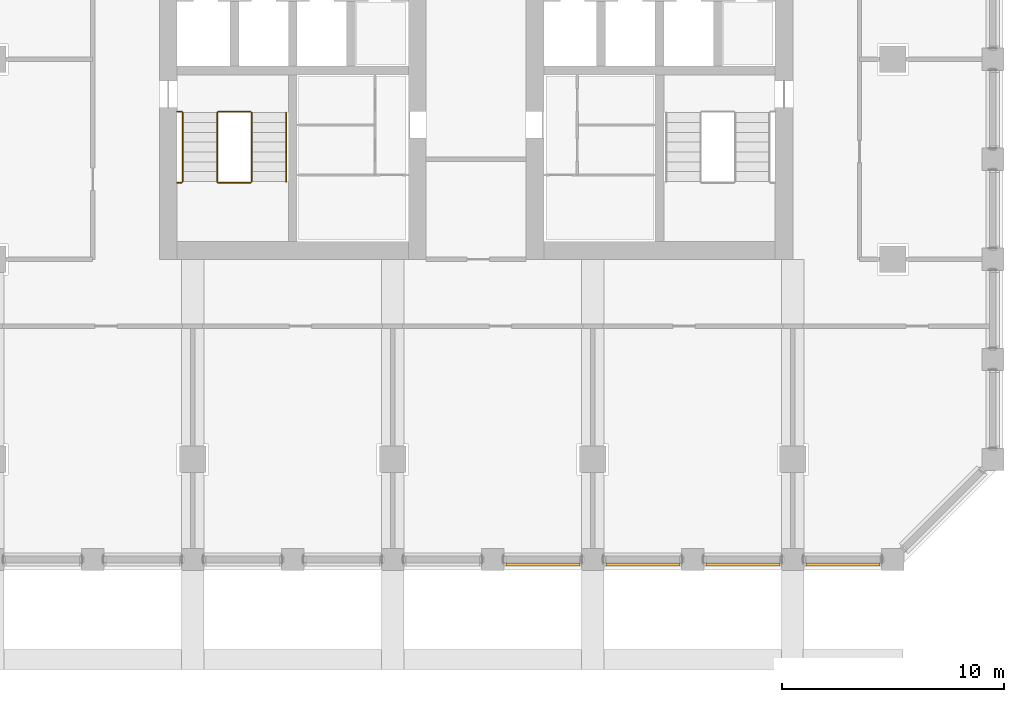
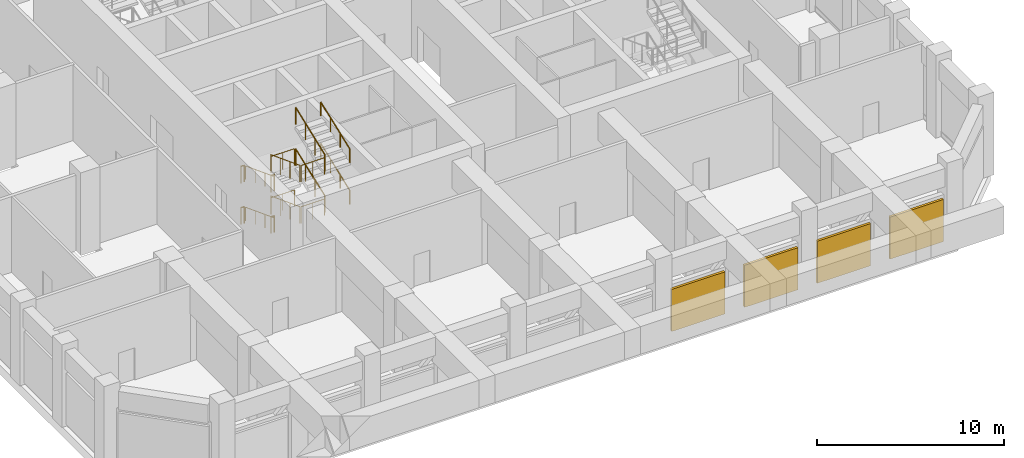
# One storey, part 14 of 20: 16 railings, 4 shading devices.
"""IFC4 building model written with IfcOpenShell, lengths in metres."""

from ifc_helpers import new_model, si_unit, direction, frame, origin, origin_2d, place, context, subcontext, project, spatial, rectangle, circle, extrude, material, layer, layer_set, type_object, element, save


model = new_model("IFC4")

# Units and contexts
model_context = context("Model", 3, precision=1e-05, world=origin(), true_north=direction((0.0, 1.0)))
body_context = subcontext(model_context, "Body", "Model", "MODEL_VIEW")
ifc_project = project(units=[si_unit("LENGTHUNIT", "METRE"), si_unit("AREAUNIT", "SQUARE_METRE"), si_unit("VOLUMEUNIT", "CUBIC_METRE"), si_unit("PLANEANGLEUNIT", "RADIAN"), si_unit("MASSUNIT", "GRAM", prefix="KILO")], contexts=[model_context])

# Site, building, storey
site_placement = place(None, origin())
site = spatial("IfcSite", under=ifc_project, at=site_placement, CompositionType="ELEMENT")
building_placement = place(site_placement, origin())
building = spatial("IfcBuilding", under=site, at=building_placement, Name="Corbel Stack Research Tower", CompositionType="ELEMENT")
storey_placement = place(building_placement, frame((0.0, 0.0, 151.39990234375)))
storey = spatial("IfcBuildingStorey", under=building, at=storey_placement, Name="L34", CompositionType="ELEMENT", Elevation=151.39990234375)

# Shading devices
ifc_material_1 = material(Name="Aluminium louvre", Category="aluminium")
ifc_layer = layer(ifc_material_1, 0.14990234375)
ifc_layer_set = layer_set([ifc_layer], Name="Aluminium louvre")
shading_device_type = type_object("IfcShadingDeviceType", Name="Plant louvre 150", PredefinedType="USERDEFINED", material=ifc_layer_set)
for number, where, z_axis, x_axis, name in (
    (1, (6.75, -22.72509765625, 0.2001953125), (0.0, 0.0, 1.0), (1.0, 0.0, 0.0), "Plant louvre L34 S07"),
    (2, (11.25, -22.72509765625, 0.2001953125), (0.0, 0.0, 1.0), (1.0, 0.0, 0.0), "Plant louvre L34 S08"),
    (3, (15.75, -22.72509765625, 0.2001953125), (0.0, 0.0, 1.0), (1.0, 0.0, 0.0), "Plant louvre L34 S09"),
    (4, (20.25, -22.72509765625, 0.2001953125), (0.0, 0.0, 1.0), (1.0, 0.0, 0.0), "Plant louvre L34 S10"),
):
    element("IfcShadingDevice", number, at=place(storey_placement, frame(where, z_axis=z_axis, x_axis=x_axis)), inside=storey, type_object=shading_device_type, Name=name, ObjectType="LOUVRE", PredefinedType="USERDEFINED", context=body_context, shape_type="SweptSolid", body=[
        extrude(rectangle(XDim=3.300048828125, YDim=0.14990234375, at=origin_2d()), origin(), (0.0, 0.0, 1.0), 2.75),
    ])

# Railings
ifc_material_2 = material(Name="Steel S355", Category="steel")
railing_type_1 = type_object("IfcRailingType", Name="Stair guard 1100", PredefinedType="GUARDRAIL", material=ifc_material_2)
railing_1_placement = place(storey_placement, frame((-7.89990234375, -2.39990234375, 0.1689453125)))
element("IfcRailing", 5, at=railing_1_placement, inside=storey, type_object=railing_type_1, Name="L34 ST-W1 stair guard 1", PredefinedType="GUARDRAIL", context=body_context, shape_type="SweptSolid", body=[
    extrude(circle(Radius=0.02392578125, at=origin_2d()), frame((0.0, 0.0, 1.076171875), z_axis=(0.0, -0.934508712189, 0.355940257406), x_axis=(1.0, 0.0, 0.0)), (0.0, 0.0, 1.0), 3.318359375),
    extrude(circle(Radius=0.02099609375, at=origin_2d()), origin(), (0.0, 0.0, 1.0), 1.052001953125),
    extrude(circle(Radius=0.02099609375, at=origin_2d()), frame((0.0, -1.03369140625, 0.393798828125)), (0.0, 0.0, 1.0), 1.052001953125),
    extrude(circle(Radius=0.02099609375, at=origin_2d()), frame((0.0, -2.0673828125, 0.787353515625)), (0.0, 0.0, 1.0), 1.052001953125),
    extrude(circle(Radius=0.02099609375, at=origin_2d()), frame((0.0, -3.10107421875, 1.18115234375)), (0.0, 0.0, 1.0), 1.052001953125),
])
railing_2_placement = place(storey_placement, frame((-7.85009765625, -5.551025390625, 1.35009765625)))
element("IfcRailing", 6, at=railing_2_placement, inside=storey, type_object=railing_type_1, Name="L34 ST-W1 stair guard 2", PredefinedType="GUARDRAIL", context=body_context, shape_type="SweptSolid", body=[
    extrude(circle(Radius=0.02392578125, at=origin_2d()), frame((0.0, 0.0, 1.076171875), z_axis=(1.0, 0.0, 0.0), x_axis=(0.0, 1.0, 0.0)), (0.0, 0.0, 1.0), 1.4501953125),
    extrude(circle(Radius=0.02099609375, at=origin_2d()), origin(), (0.0, 0.0, 1.0), 1.052001953125),
    extrude(circle(Radius=0.02099609375, at=origin_2d()), frame((0.72509765625, 0.0, 0.0)), (0.0, 0.0, 1.0), 1.052001953125),
    extrude(circle(Radius=0.02099609375, at=origin_2d()), frame((1.4501953125, 0.0, 0.0)), (0.0, 0.0, 1.0), 1.052001953125),
])
railing_3_placement = place(storey_placement, frame((-9.699951171875, -5.551025390625, 1.35009765625)))
element("IfcRailing", 7, at=railing_3_placement, inside=storey, type_object=railing_type_1, Name="L34 ST-W1 stair guard 3", PredefinedType="GUARDRAIL", context=body_context, shape_type="SweptSolid", body=[
    extrude(circle(Radius=0.02392578125, at=origin_2d()), frame((0.0, 0.0, 1.076171875), z_axis=(1.0, 0.0, 0.0), x_axis=(0.0, 1.0, 0.0)), (0.0, 0.0, 1.0), 0.199951171875),
    extrude(circle(Radius=0.02099609375, at=origin_2d()), origin(), (0.0, 0.0, 1.0), 1.052001953125),
    extrude(circle(Radius=0.02099609375, at=origin_2d()), frame((0.199951171875, 0.0, 0.0)), (0.0, 0.0, 1.0), 1.052001953125),
])
railing_4_placement = place(storey_placement, frame((-6.35009765625, -5.5009765625, 1.518798828125)))
element("IfcRailing", 8, at=railing_4_placement, inside=storey, type_object=railing_type_1, Name="L34 ST-W1 stair guard 4", PredefinedType="GUARDRAIL", context=body_context, shape_type="SweptSolid", body=[
    extrude(circle(Radius=0.02392578125, at=origin_2d()), frame((0.0, 0.0, 1.076171875), z_axis=(0.0, 0.934484238495, 0.356004505596), x_axis=(-1.0, 0.0, 0.0)), (0.0, 0.0, 1.0), 3.318603515625),
    extrude(circle(Radius=0.02099609375, at=origin_2d()), origin(), (0.0, 0.0, 1.0), 1.052001953125),
    extrude(circle(Radius=0.02099609375, at=origin_2d()), frame((0.0, 1.03369140625, 0.393798828125)), (0.0, 0.0, 1.0), 1.052001953125),
    extrude(circle(Radius=0.02099609375, at=origin_2d()), frame((0.0, 2.0673828125, 0.78759765625)), (0.0, 0.0, 1.0), 1.052001953125),
    extrude(circle(Radius=0.02099609375, at=origin_2d()), frame((0.0, 3.10107421875, 1.181396484375)), (0.0, 0.0, 1.0), 1.052001953125),
])
railing_5_placement = place(storey_placement, frame((-7.85009765625, -2.35009765625, 2.7001953125)))
element("IfcRailing", 9, at=railing_5_placement, inside=storey, type_object=railing_type_1, Name="L34 ST-W1 stair guard 5", PredefinedType="GUARDRAIL", context=body_context, shape_type="SweptSolid", body=[
    extrude(circle(Radius=0.02392578125, at=origin_2d()), frame((0.0, 0.0, 1.076171875), z_axis=(1.0, 0.0, 0.0), x_axis=(0.0, 1.0, 0.0)), (0.0, 0.0, 1.0), 1.4501953125),
    extrude(circle(Radius=0.02099609375, at=origin_2d()), origin(), (0.0, 0.0, 1.0), 1.052001953125),
    extrude(circle(Radius=0.02099609375, at=origin_2d()), frame((0.72509765625, 0.0, 0.0)), (0.0, 0.0, 1.0), 1.052001953125),
    extrude(circle(Radius=0.02099609375, at=origin_2d()), frame((1.4501953125, 0.0, 0.0)), (0.0, 0.0, 1.0), 1.052001953125),
])
railing_6_placement = place(storey_placement, frame((-9.699951171875, -2.35009765625, 2.7001953125)))
element("IfcRailing", 10, at=railing_6_placement, inside=storey, type_object=railing_type_1, Name="L34 ST-W1 stair guard 6", PredefinedType="GUARDRAIL", context=body_context, shape_type="SweptSolid", body=[
    extrude(circle(Radius=0.02392578125, at=origin_2d()), frame((0.0, 0.0, 1.076171875), z_axis=(1.0, 0.0, 0.0), x_axis=(0.0, 1.0, 0.0)), (0.0, 0.0, 1.0), 0.199951171875),
    extrude(circle(Radius=0.02099609375, at=origin_2d()), origin(), (0.0, 0.0, 1.0), 1.052001953125),
    extrude(circle(Radius=0.02099609375, at=origin_2d()), frame((0.199951171875, 0.0, 0.0)), (0.0, 0.0, 1.0), 1.052001953125),
])
railing_7_placement = place(storey_placement, frame((-7.89990234375, -2.39990234375, 2.868896484375)))
element("IfcRailing", 11, at=railing_7_placement, inside=storey, type_object=railing_type_1, Name="L34 ST-W1 stair guard 7", PredefinedType="GUARDRAIL", context=body_context, shape_type="SweptSolid", body=[
    extrude(circle(Radius=0.02392578125, at=origin_2d()), frame((0.0, 0.0, 1.076171875), z_axis=(0.0, -0.934508712189, 0.355940257406), x_axis=(1.0, 0.0, 0.0)), (0.0, 0.0, 1.0), 3.318359375),
    extrude(circle(Radius=0.02099609375, at=origin_2d()), origin(), (0.0, 0.0, 1.0), 1.052001953125),
    extrude(circle(Radius=0.02099609375, at=origin_2d()), frame((0.0, -1.03369140625, 0.393798828125)), (0.0, 0.0, 1.0), 1.052001953125),
    extrude(circle(Radius=0.02099609375, at=origin_2d()), frame((0.0, -2.0673828125, 0.787353515625)), (0.0, 0.0, 1.0), 1.052001953125),
    extrude(circle(Radius=0.02099609375, at=origin_2d()), frame((0.0, -3.10107421875, 1.18115234375)), (0.0, 0.0, 1.0), 1.052001953125),
])
railing_8_placement = place(storey_placement, frame((-7.85009765625, -5.551025390625, 4.050048828125)))
element("IfcRailing", 12, at=railing_8_placement, inside=storey, type_object=railing_type_1, Name="L34 ST-W1 stair guard 8", PredefinedType="GUARDRAIL", context=body_context, shape_type="SweptSolid", body=[
    extrude(circle(Radius=0.02392578125, at=origin_2d()), frame((0.0, 0.0, 1.076171875), z_axis=(1.0, 0.0, 0.0), x_axis=(0.0, 1.0, 0.0)), (0.0, 0.0, 1.0), 1.4501953125),
    extrude(circle(Radius=0.02099609375, at=origin_2d()), origin(), (0.0, 0.0, 1.0), 1.052001953125),
    extrude(circle(Radius=0.02099609375, at=origin_2d()), frame((0.72509765625, 0.0, 0.0)), (0.0, 0.0, 1.0), 1.052001953125),
    extrude(circle(Radius=0.02099609375, at=origin_2d()), frame((1.4501953125, 0.0, 0.0)), (0.0, 0.0, 1.0), 1.052001953125),
])
railing_9_placement = place(storey_placement, frame((-9.699951171875, -5.551025390625, 4.050048828125)))
element("IfcRailing", 13, at=railing_9_placement, inside=storey, type_object=railing_type_1, Name="L34 ST-W1 stair guard 9", PredefinedType="GUARDRAIL", context=body_context, shape_type="SweptSolid", body=[
    extrude(circle(Radius=0.02392578125, at=origin_2d()), frame((0.0, 0.0, 1.076171875), z_axis=(1.0, 0.0, 0.0), x_axis=(0.0, 1.0, 0.0)), (0.0, 0.0, 1.0), 0.199951171875),
    extrude(circle(Radius=0.02099609375, at=origin_2d()), origin(), (0.0, 0.0, 1.0), 1.052001953125),
    extrude(circle(Radius=0.02099609375, at=origin_2d()), frame((0.199951171875, 0.0, 0.0)), (0.0, 0.0, 1.0), 1.052001953125),
])
railing_10_placement = place(storey_placement, frame((-6.35009765625, -5.5009765625, 4.21875)))
element("IfcRailing", 14, at=railing_10_placement, inside=storey, type_object=railing_type_1, Name="L34 ST-W1 stair guard 10", PredefinedType="GUARDRAIL", context=body_context, shape_type="SweptSolid", body=[
    extrude(circle(Radius=0.02392578125, at=origin_2d()), frame((0.0, 0.0, 1.076171875), z_axis=(0.0, 0.934484238495, 0.356004505596), x_axis=(-1.0, 0.0, 0.0)), (0.0, 0.0, 1.0), 3.318603515625),
    extrude(circle(Radius=0.02099609375, at=origin_2d()), origin(), (0.0, 0.0, 1.0), 1.052001953125),
    extrude(circle(Radius=0.02099609375, at=origin_2d()), frame((0.0, 1.03369140625, 0.393798828125)), (0.0, 0.0, 1.0), 1.052001953125),
    extrude(circle(Radius=0.02099609375, at=origin_2d()), frame((0.0, 2.0673828125, 0.78759765625)), (0.0, 0.0, 1.0), 1.052001953125),
    extrude(circle(Radius=0.02099609375, at=origin_2d()), frame((0.0, 3.10107421875, 1.181396484375)), (0.0, 0.0, 1.0), 1.052001953125),
])
railing_11_placement = place(storey_placement, frame((-7.85009765625, -2.35009765625, 0.0)))
element("IfcRailing", 15, at=railing_11_placement, inside=storey, type_object=railing_type_1, Name="L34 ST-W1 stair guard 11", PredefinedType="GUARDRAIL", context=body_context, shape_type="SweptSolid", body=[
    extrude(circle(Radius=0.02392578125, at=origin_2d()), frame((0.0, 0.0, 1.076171875), z_axis=(1.0, 0.0, 0.0), x_axis=(0.0, 1.0, 0.0)), (0.0, 0.0, 1.0), 1.4501953125),
    extrude(circle(Radius=0.02099609375, at=origin_2d()), origin(), (0.0, 0.0, 1.0), 1.052001953125),
    extrude(circle(Radius=0.02099609375, at=origin_2d()), frame((0.72509765625, 0.0, 0.0)), (0.0, 0.0, 1.0), 1.052001953125),
    extrude(circle(Radius=0.02099609375, at=origin_2d()), frame((1.4501953125, 0.0, 0.0)), (0.0, 0.0, 1.0), 1.052001953125),
])
railing_12_placement = place(storey_placement, frame((-9.699951171875, -2.35009765625, 0.0)))
element("IfcRailing", 16, at=railing_12_placement, inside=storey, type_object=railing_type_1, Name="L34 ST-W1 stair guard 12", PredefinedType="GUARDRAIL", context=body_context, shape_type="SweptSolid", body=[
    extrude(circle(Radius=0.02392578125, at=origin_2d()), frame((0.0, 0.0, 1.076171875), z_axis=(1.0, 0.0, 0.0), x_axis=(0.0, 1.0, 0.0)), (0.0, 0.0, 1.0), 0.199951171875),
    extrude(circle(Radius=0.02099609375, at=origin_2d()), origin(), (0.0, 0.0, 1.0), 1.052001953125),
    extrude(circle(Radius=0.02099609375, at=origin_2d()), frame((0.199951171875, 0.0, 0.0)), (0.0, 0.0, 1.0), 1.052001953125),
])
ifc_material_3 = material(Name="Steel S355", Category="steel")
railing_type_2 = type_object("IfcRailingType", Name="Stair handrail 900", PredefinedType="HANDRAIL", material=ifc_material_3)
railing_13_placement = place(storey_placement, frame((-9.449951171875, -2.39990234375, 0.1689453125)))
element("IfcRailing", 17, at=railing_13_placement, inside=storey, type_object=railing_type_2, Name="L34 ST-W1 stair handrail 1", PredefinedType="HANDRAIL", context=body_context, shape_type="SweptSolid", body=[
    extrude(circle(Radius=0.02392578125, at=origin_2d()), frame((0.0, 0.0, 0.8759765625), z_axis=(0.0, -0.934508712189, 0.355940257406), x_axis=(1.0, 0.0, 0.0)), (0.0, 0.0, 1.0), 3.318359375),
    extrude(circle(Radius=0.02099609375, at=origin_2d()), origin(), (0.0, 0.0, 1.0), 0.851806640625),
    extrude(circle(Radius=0.02099609375, at=origin_2d()), frame((0.0, -1.03369140625, 0.393798828125)), (0.0, 0.0, 1.0), 0.851806640625),
    extrude(circle(Radius=0.02099609375, at=origin_2d()), frame((0.0, -2.0673828125, 0.787353515625)), (0.0, 0.0, 1.0), 0.851806640625),
    extrude(circle(Radius=0.02099609375, at=origin_2d()), frame((0.0, -3.10107421875, 1.18115234375)), (0.0, 0.0, 1.0), 0.851806640625),
])
railing_14_placement = place(storey_placement, frame((-4.800048828125, -5.5009765625, 1.518798828125)))
element("IfcRailing", 18, at=railing_14_placement, inside=storey, type_object=railing_type_2, Name="L34 ST-W1 stair handrail 2", PredefinedType="HANDRAIL", context=body_context, shape_type="SweptSolid", body=[
    extrude(circle(Radius=0.02392578125, at=origin_2d()), frame((0.0, 0.0, 0.8759765625), z_axis=(0.0, 0.934484238495, 0.356004505596), x_axis=(-1.0, 0.0, 0.0)), (0.0, 0.0, 1.0), 3.318603515625),
    extrude(circle(Radius=0.02099609375, at=origin_2d()), origin(), (0.0, 0.0, 1.0), 0.851806640625),
    extrude(circle(Radius=0.02099609375, at=origin_2d()), frame((0.0, 1.03369140625, 0.393798828125)), (0.0, 0.0, 1.0), 0.851806640625),
    extrude(circle(Radius=0.02099609375, at=origin_2d()), frame((0.0, 2.0673828125, 0.78759765625)), (0.0, 0.0, 1.0), 0.851806640625),
    extrude(circle(Radius=0.02099609375, at=origin_2d()), frame((0.0, 3.10107421875, 1.181396484375)), (0.0, 0.0, 1.0), 0.851806640625),
])
railing_15_placement = place(storey_placement, frame((-9.449951171875, -2.39990234375, 2.868896484375)))
element("IfcRailing", 19, at=railing_15_placement, inside=storey, type_object=railing_type_2, Name="L34 ST-W1 stair handrail 3", PredefinedType="HANDRAIL", context=body_context, shape_type="SweptSolid", body=[
    extrude(circle(Radius=0.02392578125, at=origin_2d()), frame((0.0, 0.0, 0.8759765625), z_axis=(0.0, -0.934508712189, 0.355940257406), x_axis=(1.0, 0.0, 0.0)), (0.0, 0.0, 1.0), 3.318359375),
    extrude(circle(Radius=0.02099609375, at=origin_2d()), origin(), (0.0, 0.0, 1.0), 0.851806640625),
    extrude(circle(Radius=0.02099609375, at=origin_2d()), frame((0.0, -1.03369140625, 0.393798828125)), (0.0, 0.0, 1.0), 0.851806640625),
    extrude(circle(Radius=0.02099609375, at=origin_2d()), frame((0.0, -2.0673828125, 0.787353515625)), (0.0, 0.0, 1.0), 0.851806640625),
    extrude(circle(Radius=0.02099609375, at=origin_2d()), frame((0.0, -3.10107421875, 1.18115234375)), (0.0, 0.0, 1.0), 0.851806640625),
])
railing_16_placement = place(storey_placement, frame((-4.800048828125, -5.5009765625, 4.21875)))
element("IfcRailing", 20, at=railing_16_placement, inside=storey, type_object=railing_type_2, Name="L34 ST-W1 stair handrail 4", PredefinedType="HANDRAIL", context=body_context, shape_type="SweptSolid", body=[
    extrude(circle(Radius=0.02392578125, at=origin_2d()), frame((0.0, 0.0, 0.8759765625), z_axis=(0.0, 0.934484238495, 0.356004505596), x_axis=(-1.0, 0.0, 0.0)), (0.0, 0.0, 1.0), 3.318603515625),
    extrude(circle(Radius=0.02099609375, at=origin_2d()), origin(), (0.0, 0.0, 1.0), 0.851806640625),
    extrude(circle(Radius=0.02099609375, at=origin_2d()), frame((0.0, 1.03369140625, 0.393798828125)), (0.0, 0.0, 1.0), 0.851806640625),
    extrude(circle(Radius=0.02099609375, at=origin_2d()), frame((0.0, 2.0673828125, 0.78759765625)), (0.0, 0.0, 1.0), 0.851806640625),
    extrude(circle(Radius=0.02099609375, at=origin_2d()), frame((0.0, 3.10107421875, 1.181396484375)), (0.0, 0.0, 1.0), 0.851806640625),
])

save(model, "model.ifc")
